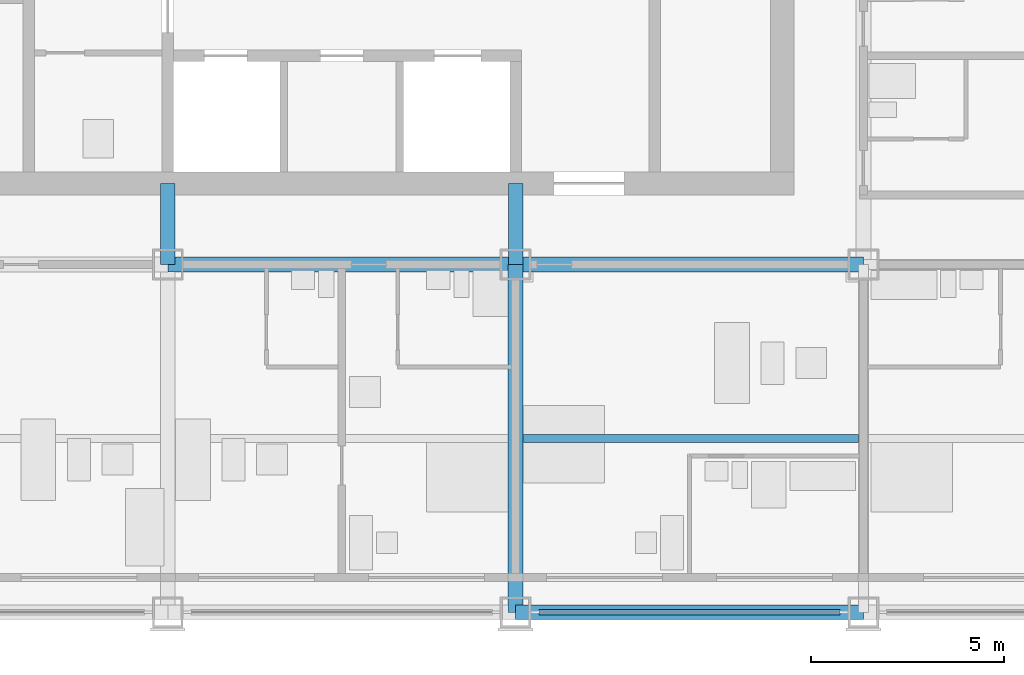
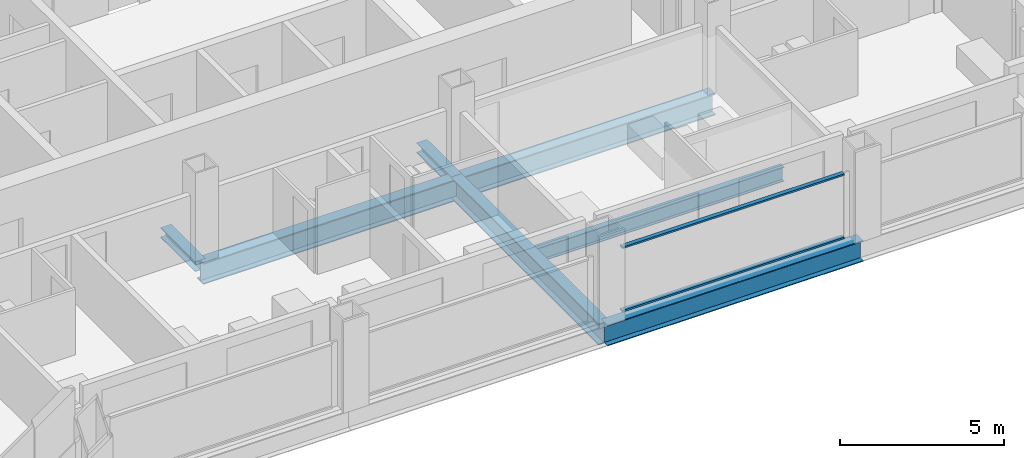
# One storey, part 3 of 13: 5 beams, 4 members, 1 element without a shape of its own.
"""IFC4 building model written with IfcOpenShell, lengths in metres."""

import ifcopenshell
import ifcopenshell.guid

model = None  # the IFC model being written
_history = None  # IfcOwnerHistory: only IFC2X3 demands one
_inside = {}  # id of a spatial element -> (the spatial element, [elements in it])
_under = {}  # id of a project, library or spatial element -> (it, [spatial elements below it])
_declared = {}  # id of a project -> (the project, [libraries it declares])
_typed = {}  # id of a type object -> (the type object, [elements of that type])
_made_of = {}  # id of a material, layer set ... -> (it, [elements and type objects made of it])


def new_model(schema):
    """Start an empty IFC model of exactly this schema.

    Asked for "IFC4X3", IfcOpenShell would pick the latest addendum, in which some entities
    have other attributes; the version numbers below select the first issue.
    IFC2X3 requires an IfcOwnerHistory on every rooted entity: one is made here for all.
    """
    global model, _history
    if schema == "IFC4X3":
        model = ifcopenshell.file(schema_version=(4, 3, 0, 0))
    else:
        model = ifcopenshell.file(schema=schema)
    _inside.clear()
    _under.clear()
    _declared.clear()
    _typed.clear()
    _made_of.clear()
    _history = None
    if model.schema == "IFC2X3":
        org = make("IfcOrganization", Name="unknown")
        user = make(
            "IfcPersonAndOrganization",
            ThePerson=make("IfcPerson", FamilyName="unknown"),
            TheOrganization=org,
        )
        app = make(
            "IfcApplication",
            ApplicationDeveloper=org,
            Version="unknown",
            ApplicationFullName="unknown",
            ApplicationIdentifier="unknown",
        )
        _history = make(
            "IfcOwnerHistory",
            OwningUser=user,
            OwningApplication=app,
            ChangeAction="ADDED",
            CreationDate=0,
        )
    return model


def make(cls, **values):
    """One entity of the class cls with the attributes given. An attribute that is None is left unset."""
    return model.create_entity(
        cls, **{name: value for name, value in values.items() if value is not None}
    )


def rooted(cls, **values):
    """An entity with a GlobalId (a new one), such as an element, a storey or a relation."""
    return make(cls, GlobalId=ifcopenshell.guid.new(), OwnerHistory=_history, **values)


def si_unit(unit_type, name, prefix=None):
    """IfcSIUnit, for example si_unit("LENGTHUNIT", "METRE", prefix="MILLI")."""
    return make("IfcSIUnit", UnitType=unit_type, Prefix=prefix, Name=name)


def assignment(units):
    """IfcUnitAssignment: the units of a project."""
    return None if units is None else make("IfcUnitAssignment", Units=units)


def point(xyz):
    """IfcCartesianPoint."""
    return None if xyz is None else make("IfcCartesianPoint", Coordinates=xyz)


def direction(xyz):
    """IfcDirection."""
    return None if xyz is None else make("IfcDirection", DirectionRatios=xyz)


def frame(location, z_axis=None, x_axis=None):
    """IfcAxis2Placement3D, a coordinate frame: its origin and axes. An axis left out is left unset."""
    return make(
        "IfcAxis2Placement3D",
        Location=point(location),
        Axis=direction(z_axis),
        RefDirection=direction(x_axis),
    )


def frame_2d(location, x_axis=None):
    """IfcAxis2Placement2D, a coordinate frame in the plane: its origin and x axis."""
    return make(
        "IfcAxis2Placement2D", Location=point(location), RefDirection=direction(x_axis)
    )


def origin():
    """The frame at (0, 0, 0) with its axes left unset."""
    return frame((0.0, 0.0, 0.0))


def origin_2d():
    """The frame at (0, 0) in the plane with its x axis left unset."""
    return frame_2d((0.0, 0.0))


def place(relative_to, where):
    """IfcLocalPlacement: puts the frame where relative to a parent placement (None: the world)."""
    return make(
        "IfcLocalPlacement", PlacementRelTo=relative_to, RelativePlacement=where
    )


def context(
    kind, dimensions, precision=None, world=None, true_north=None, identifier=None
):
    """IfcGeometricRepresentationContext, for example the 3D "Model" context."""
    return make(
        "IfcGeometricRepresentationContext",
        ContextIdentifier=identifier,
        ContextType=kind,
        CoordinateSpaceDimension=dimensions,
        Precision=precision,
        WorldCoordinateSystem=world,
        TrueNorth=true_north,
    )


def subcontext(parent, identifier, kind, view, scale=None):
    """IfcGeometricRepresentationSubContext, for example "Body" below "Model"."""
    return make(
        "IfcGeometricRepresentationSubContext",
        ContextIdentifier=identifier,
        ContextType=kind,
        ParentContext=parent,
        TargetScale=scale,
        TargetView=view,
    )


def project(units=None, contexts=None):
    """IfcProject with its units and contexts."""
    return rooted(
        "IfcProject",
        Name="project",
        RepresentationContexts=contexts,
        UnitsInContext=assignment(units),
    )


def spatial(cls, under=None, at=None, **own):
    """A site, building, storey or space (cls), placed at a placement, below another one or the project."""
    s = rooted(cls, ObjectPlacement=at, **own)
    if under is not None:
        _under.setdefault(under.id(), (under, []))[1].append(s)
    return s


def profile(cls, at=None, kind="AREA", **sizes):
    """A parametric profile (cls). Its sizes go by their IFC names, for example OverallWidth=200.0."""
    return make(cls, ProfileType=kind, Position=at, **sizes)


def rectangle(**sizes):
    """IfcRectangleProfileDef."""
    return profile("IfcRectangleProfileDef", **sizes)


def i_section(**sizes):
    """IfcIShapeProfileDef."""
    return profile("IfcIShapeProfileDef", **sizes)


def extrude(swept, where, along, depth):
    """IfcExtrudedAreaSolid: the profile swept, set in the frame where, extruded along a direction by depth."""
    return make(
        "IfcExtrudedAreaSolid",
        SweptArea=swept,
        Position=where,
        ExtrudedDirection=direction(along),
        Depth=depth,
    )


def shape(context_of_items, identifier, shape_type, items):
    """IfcShapeRepresentation: the items that make up one representation, for example the "Body"."""
    return make(
        "IfcShapeRepresentation",
        ContextOfItems=context_of_items,
        RepresentationIdentifier=identifier,
        RepresentationType=shape_type,
        Items=items,
    )


def material(Name=None, Category=None):
    """IfcMaterial."""
    return make("IfcMaterial", Name=Name, Category=Category)


def material_profile(
    of_material, cross_section, Name=None, Category=None, Priority=None
):
    """IfcMaterialProfile: a cross section and its material."""
    return make(
        "IfcMaterialProfile",
        Name=Name,
        Material=of_material,
        Profile=cross_section,
        Priority=Priority,
        Category=Category,
    )


def profile_set(profiles, Name=None, composite=None):
    """IfcMaterialProfileSet."""
    return make(
        "IfcMaterialProfileSet",
        Name=Name,
        MaterialProfiles=profiles,
        CompositeProfile=composite,
    )


def made_of(thing, what):
    """Note that an element or type object is made of a material, layer set ...; save() writes the relation."""
    if what is not None:
        _made_of.setdefault(what.id(), (what, []))[1].append(thing)
    return thing


def type_object(cls, material=None, **own):
    """A type object (cls), such as IfcWallType, which elements share."""
    return made_of(rooted(cls, **own), material)


def element(
    cls,
    number,
    at=None,
    inside=None,
    cuts=None,
    type_object=None,
    material=None,
    context=None,
    identifier="Body",
    shape_type=None,
    held_by="IfcProductDefinitionShape",
    body=None,
    shapes=None,
    **own,
):
    """One element of the class cls, such as IfcWall. Its Tag is "e" and its number.

    at: its placement. inside: the storey or other place that contains it. cuts: it is an
    opening in that element (IfcRelVoidsElement). A single representation is given by context,
    identifier, shape_type and body (its items); several are given by shapes. held_by: the class
    of the entity that holds the representations. save() writes the other relations.
    """
    e = rooted(cls, Tag="e%d" % number, ObjectPlacement=at, **own)
    if body is not None:
        shapes = [shape(context, identifier, shape_type, body)]
    if shapes is not None:
        e.Representation = make(held_by, Representations=shapes)
    if inside is not None:
        _inside.setdefault(inside.id(), (inside, []))[1].append(e)
    if cuts is not None:
        rooted(
            "IfcRelVoidsElement", RelatingBuildingElement=cuts, RelatedOpeningElement=e
        )
    if type_object is not None:
        _typed.setdefault(type_object.id(), (type_object, []))[1].append(e)
    return made_of(e, material)


def aggregate(whole, parts):
    """IfcRelAggregates: a whole, such as a stair, and the parts it consists of."""
    return rooted("IfcRelAggregates", RelatingObject=whole, RelatedObjects=parts)


def save(model, path):
    """Write the relations noted so far, then the file.

    IfcRelAggregates (storeys below a building ...), IfcRelContainedInSpatialStructure (elements
    in a storey), IfcRelDefinesByType, IfcRelAssociatesMaterial and IfcRelDeclares: one each for
    every whole, place, type object, material and project.
    """
    for whole, parts in _under.values():
        aggregate(whole, parts)
    for where, things in _inside.values():
        rooted(
            "IfcRelContainedInSpatialStructure",
            RelatedElements=things,
            RelatingStructure=where,
        )
    for kind, things in _typed.values():
        rooted("IfcRelDefinesByType", RelatedObjects=things, RelatingType=kind)
    for what, things in _made_of.values():
        rooted("IfcRelAssociatesMaterial", RelatedObjects=things, RelatingMaterial=what)
    for by, libraries in _declared.values():
        rooted("IfcRelDeclares", RelatingContext=by, RelatedDefinitions=libraries)
    model.write(path)


model = new_model("IFC4")

# Units and contexts
model_context = context("Model", 3, precision=1e-05, world=origin(), true_north=direction((0.0, 1.0)))
body_context = subcontext(model_context, "Body", "Model", "MODEL_VIEW")
ifc_project = project(units=[si_unit("LENGTHUNIT", "METRE"), si_unit("AREAUNIT", "SQUARE_METRE"), si_unit("VOLUMEUNIT", "CUBIC_METRE"), si_unit("PLANEANGLEUNIT", "RADIAN"), si_unit("MASSUNIT", "GRAM", prefix="KILO")], contexts=[model_context])

# Site, building, storey
site_placement = place(None, origin())
site = spatial("IfcSite", under=ifc_project, at=site_placement, CompositionType="ELEMENT")
building_placement = place(site_placement, origin())
building = spatial("IfcBuilding", under=site, at=building_placement, Name="Loomwork Tower", CompositionType="ELEMENT")
storey_placement = place(building_placement, frame((0.0, 0.0, 197.800048828125)))
storey = spatial("IfcBuildingStorey", under=building, at=storey_placement, Name="L54", CompositionType="ELEMENT", Elevation=197.800048828125)

# Beams
ifc_material_1 = material(Name="Steel ASTM A992", Category="steel")
ifc_material_profile_1 = material_profile(ifc_material_1, i_section(OverallWidth=0.383544921875, OverallDepth=0.794921875, WebThickness=0.02099609375, FlangeThickness=0.0380859375, at=origin_2d()), Name="W30x235")
ifc_profile_set_1 = profile_set([ifc_material_profile_1], Name="Steel ASTM A992")
beam_type_1 = type_object("IfcBeamType", Name="CORE FLANK GIRDER W30x235", PredefinedType="BEAM", material=ifc_profile_set_1)
for number, where, z_axis, x_axis, name in (
    (1, (18.0, 9.0, -0.59765625), (1.0, 0.0, 0.0), (0.0, 1.0, 0.0), "Core Flank Girder E/4-E/5 L54"),
    (2, (27.0, 9.0, -0.59765625), (1.0, 0.0, 0.0), (0.0, 1.0, 0.0), "Core Flank Girder E/5-E/6 L54"),
    (3, (27.0, 0.0, -0.59765625), (0.0, 1.0, 0.0), (-1.0, 0.0, 0.0), "Core Flank Girder D/5-E/5 L54"),
):
    element("IfcBeam", number, at=place(storey_placement, frame(where, z_axis=z_axis, x_axis=x_axis)), inside=storey, type_object=beam_type_1, Name=name, PredefinedType="BEAM", context=body_context, shape_type="SweptSolid", body=[
        extrude(i_section(OverallWidth=0.383544921875, OverallDepth=0.794921875, WebThickness=0.02099609375, FlangeThickness=0.0380859375, at=origin_2d()), origin(), (0.0, 0.0, 1.0), 9.0),
    ])

# Members
ifc_material_2 = material(Name="Steel ASTM A992", Category="steel")
ifc_material_profile_2 = material_profile(ifc_material_2, i_section(OverallWidth=0.373291015625, OverallDepth=0.373291015625, WebThickness=0.016357421875, FlangeThickness=0.026123046875, at=origin_2d()), Name="W14x132")
ifc_profile_set_2 = profile_set([ifc_material_profile_2], Name="Steel ASTM A992")
member_type_1 = type_object("IfcMemberType", Name="CORE LINK STRUT W14x132", PredefinedType="STRUT", material=ifc_profile_set_2)
for number, where, z_axis, x_axis, name in (
    (4, (27.0, 9.0, -0.38671875), (0.0, 1.0, 0.0), (-1.0, 0.0, 0.0), "Core link strut E/5-27.000,11.100 L54"),
    (5, (18.0, 9.0, -0.38671875), (0.0, 1.0, 0.0), (-1.0, 0.0, 0.0), "Core link strut E/4-18.000,11.100 L54"),
):
    element("IfcMember", number, at=place(storey_placement, frame(where, z_axis=z_axis, x_axis=x_axis)), inside=storey, type_object=member_type_1, Name=name, PredefinedType="STRUT", context=body_context, shape_type="SweptSolid", body=[
        extrude(i_section(OverallWidth=0.373291015625, OverallDepth=0.373291015625, WebThickness=0.016357421875, FlangeThickness=0.026123046875, at=origin_2d()), origin(), (0.0, 0.0, 1.0), 2.10009765625),
    ])

# Beam
ifc_material_3 = material(Name="Steel ASTM A992", Category="steel")
ifc_material_profile_3 = material_profile(ifc_material_3, i_section(OverallWidth=0.2109375, OverallDepth=0.53857421875, WebThickness=0.011474609375, FlangeThickness=0.018798828125, at=origin_2d()), Name="W21x73")
ifc_profile_set_3 = profile_set([ifc_material_profile_3], Name="Steel ASTM A992")
beam_type_2 = type_object("IfcBeamType", Name="FLOOR JOIST W21x73", PredefinedType="JOIST", material=ifc_profile_set_3)
beam_1_placement = place(storey_placement, frame((27.19091796875, 4.5, -0.46923828125), z_axis=(1.0, 0.0, 0.0), x_axis=(0.0, 1.0, 0.0)))
element("IfcBeam", 6, at=beam_1_placement, inside=storey, type_object=beam_type_2, Name="Floor Joist 27.000,4.500-36.000,4.500 L54", PredefinedType="JOIST", context=body_context, shape_type="SweptSolid", body=[
    extrude(i_section(OverallWidth=0.2109375, OverallDepth=0.53857421875, WebThickness=0.011474609375, FlangeThickness=0.018798828125, at=origin_2d()), origin(), (0.0, 0.0, 1.0), 8.676025390625),
])

# Curtain wall, members
ifc_material_4 = material(Name="Aluminium curtain wall frame", Category="aluminium")
curtain_wall_type = type_object("IfcCurtainWallType", Name="Outer skin glazing hotel", PredefinedType="NOTDEFINED", material=ifc_material_4)
curtain_wall_placement = place(storey_placement, origin())
curtain_wall = element("IfcCurtainWall", 7, at=curtain_wall_placement, inside=storey, type_object=curtain_wall_type, Name="Outer skin glazing hotel cw/S-27", PredefinedType="NOTDEFINED")
ifc_material_5 = material(Name="Aluminium curtain wall frame", Category="aluminium")
ifc_material_profile_4 = material_profile(ifc_material_5, rectangle(XDim=0.14990234375, YDim=0.06494140625, at=origin_2d()), Name="AL 65x150")
ifc_profile_set_4 = profile_set([ifc_material_profile_4], Name="Aluminium curtain wall frame")
member_type_2 = type_object("IfcMemberType", Name="Outer skin glazing hotel transom", PredefinedType="USERDEFINED", material=ifc_profile_set_4)
member_1_placement = place(storey_placement, frame((27.60009765625, 0.0, 0.032470703125), z_axis=(1.0, 0.0, 0.0), x_axis=(0.0, 1.0, 0.0)))
member_1 = element("IfcMember", 8, at=member_1_placement, type_object=member_type_2, Name="CW1 transom 1.1", ObjectType="TRANSOM", PredefinedType="USERDEFINED", context=body_context, shape_type="SweptSolid", body=[
    extrude(rectangle(XDim=0.14990234375, YDim=0.06494140625, at=origin_2d()), origin(), (0.0, 0.0, 1.0), 7.7998046875),
])
member_2_placement = place(storey_placement, frame((27.60009765625, 0.0, 2.3876953125), z_axis=(1.0, 0.0, 0.0), x_axis=(0.0, 1.0, 0.0)))
member_2 = element("IfcMember", 9, at=member_2_placement, type_object=member_type_2, Name="CW1 transom 1.2", ObjectType="TRANSOM", PredefinedType="USERDEFINED", context=body_context, shape_type="SweptSolid", body=[
    extrude(rectangle(XDim=0.14990234375, YDim=0.06494140625, at=origin_2d()), origin(), (0.0, 0.0, 1.0), 7.7998046875),
])
aggregate(curtain_wall, [member_1, member_2])

# Beam
ifc_material_6 = material(Name="Steel ASTM A992", Category="steel")
ifc_material_profile_5 = material_profile(ifc_material_6, i_section(OverallWidth=0.381103515625, OverallDepth=0.77978515625, WebThickness=0.01806640625, FlangeThickness=0.0302734375, at=origin_2d()), Name="W30x191")
ifc_profile_set_5 = profile_set([ifc_material_profile_5], Name="Steel ASTM A992")
beam_type_3 = type_object("IfcBeamType", Name="SPANDREL GIRDER W30x191", PredefinedType="SPANDREL", material=ifc_profile_set_5)
beam_2_placement = place(storey_placement, frame((27.0, 0.0, -0.58984375), z_axis=(1.0, 0.0, 0.0), x_axis=(0.0, 1.0, 0.0)))
element("IfcBeam", 10, at=beam_2_placement, inside=storey, type_object=beam_type_3, Name="Spandrel Girder D/5-D/6 L54", PredefinedType="SPANDREL", context=body_context, shape_type="SweptSolid", body=[
    extrude(i_section(OverallWidth=0.381103515625, OverallDepth=0.77978515625, WebThickness=0.01806640625, FlangeThickness=0.0302734375, at=origin_2d()), origin(), (0.0, 0.0, 1.0), 9.0),
])

save(model, "model.ifc")
